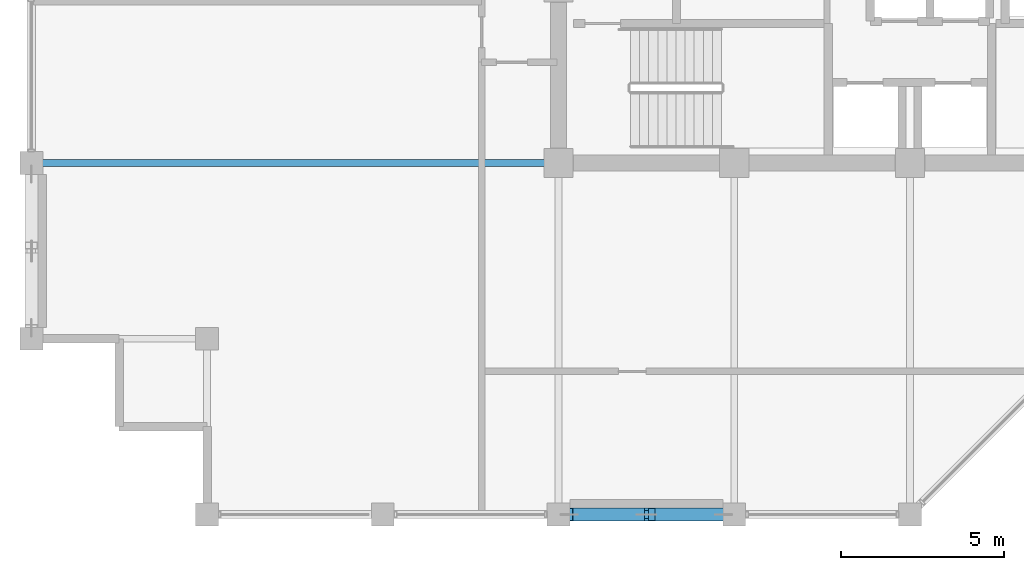
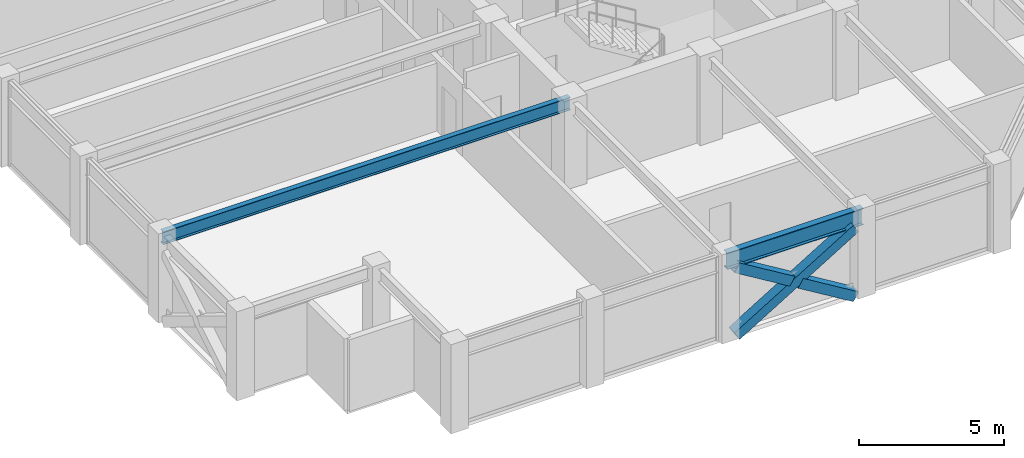
# One storey, part 5 of 30: 3 members, 2 beams.
"""IFC4 building model written with IfcOpenShell, lengths in metres."""

from ifc_helpers import new_model, si_unit, direction, frame, origin, origin_2d, place, context, subcontext, project, spatial, hollow_rectangle, i_section, extrude, material, material_profile, profile_set, type_object, element, save


model = new_model("IFC4")

# Units and contexts
model_context = context("Model", 3, precision=1e-05, world=origin(), true_north=direction((0.0, 1.0)))
body_context = subcontext(model_context, "Body", "Model", "MODEL_VIEW")
ifc_project = project(units=[si_unit("LENGTHUNIT", "METRE"), si_unit("AREAUNIT", "SQUARE_METRE"), si_unit("VOLUMEUNIT", "CUBIC_METRE"), si_unit("PLANEANGLEUNIT", "RADIAN"), si_unit("MASSUNIT", "GRAM", prefix="KILO")], contexts=[model_context])

# Site, building, storey
site_placement = place(None, origin())
site = spatial("IfcSite", under=ifc_project, at=site_placement, CompositionType="ELEMENT")
building_placement = place(site_placement, origin())
building = spatial("IfcBuilding", under=site, at=building_placement, Name="Surkhivell Harbour Commons", CompositionType="ELEMENT")
storey_placement = place(building_placement, frame((0.0, 0.0, 292.5)))
storey = spatial("IfcBuildingStorey", under=building, at=storey_placement, Name="L76", CompositionType="ELEMENT", Elevation=292.5)

# Beams
ifc_material_1 = material(Name="Steel S355", Category="steel")
ifc_material_profile_1 = material_profile(ifc_material_1, i_section(OverallWidth=0.2099609375, OverallDepth=0.537109375, WebThickness=0.0107421875, FlangeThickness=0.017333984375, at=origin_2d()), Name="UB533x210x101")
ifc_profile_set_1 = profile_set([ifc_material_profile_1], Name="Steel S355")
beam_type_1 = type_object("IfcBeamType", Name="BM-GRD-533B", PredefinedType="BEAM", material=ifc_profile_set_1)
beam_1_placement = place(storey_placement, frame((-27.0, -10.800048828125, 3.301513671875), z_axis=(1.0, 0.0, 0.0), x_axis=(0.0, 1.0, 0.0)))
element("IfcBeam", 1, at=beam_1_placement, inside=storey, type_object=beam_type_1, Name="L76 Floor Girder (-27.0,-10.8)", PredefinedType="BEAM", context=body_context, shape_type="SweptSolid", body=[
    extrude(i_section(OverallWidth=0.2099609375, OverallDepth=0.537109375, WebThickness=0.0107421875, FlangeThickness=0.017333984375, at=origin_2d()), origin(), (0.0, 0.0, 1.0), 16.199951171875),
])
ifc_material_profile_2 = material_profile(ifc_material_1, i_section(OverallWidth=0.256103515625, OverallDepth=0.693115234375, WebThickness=0.014404296875, FlangeThickness=0.023681640625, at=origin_2d()), Name="UB686x254x170")
ifc_profile_set_2 = profile_set([ifc_material_profile_2], Name="Steel S355")
beam_type_2 = type_object("IfcBeamType", Name="BM-SPN-686", PredefinedType="SPANDREL", material=ifc_profile_set_2)
beam_2_placement = place(storey_placement, frame((-10.800048828125, -21.60009765625, 3.223388671875), z_axis=(1.0, 0.0, 0.0), x_axis=(0.0, 1.0, 0.0)))
element("IfcBeam", 2, at=beam_2_placement, inside=storey, type_object=beam_type_2, Name="L76 Tube Spandrel (-10.8,-21.6)", PredefinedType="SPANDREL", context=body_context, shape_type="SweptSolid", body=[
    extrude(i_section(OverallWidth=0.256103515625, OverallDepth=0.693115234375, WebThickness=0.014404296875, FlangeThickness=0.023681640625, at=origin_2d()), origin(), (0.0, 0.0, 1.0), 5.400146484375),
])

# Members
ifc_material_2 = material(Name="Steel S460", Category="steel")
ifc_material_profile_3 = material_profile(ifc_material_2, hollow_rectangle(XDim=0.39990234375, YDim=0.39990234375, WallThickness=0.02001953125, at=origin_2d()), Name="SHS400x400x20")
ifc_profile_set_3 = profile_set([ifc_material_profile_3], Name="Steel S460")
member_type = type_object("IfcMemberType", Name="MEM-BRC-SHS400", PredefinedType="BRACE", material=ifc_profile_set_3)
member_1_placement = place(storey_placement, frame((-10.465087890625, -21.60009765625, 0.008056640625), z_axis=(0.854685454322, 0.0, 0.519146197299), x_axis=(0.0, 1.0, 0.0)))
element("IfcMember", 3, at=member_1_placement, inside=storey, type_object=member_type, Name="L76 Perimeter Mega-Brace MB- 07", PredefinedType="BRACE", context=body_context, shape_type="SweptSolid", body=[
    extrude(hollow_rectangle(XDim=0.39990234375, YDim=0.39990234375, WallThickness=0.02001953125, at=origin_2d()), origin(), (0.0, 0.0, 1.0), 5.5341796875),
])
member_2_placement = place(storey_placement, frame((-5.735107421875, -21.60009765625, 0.008056640625), z_axis=(-0.854694361898, 0.0, 0.519131532215), x_axis=(0.0, -1.0, 0.0)))
element("IfcMember", 4, at=member_2_placement, inside=storey, type_object=member_type, Name="L76 Perimeter Mega-Brace MB- 08", PredefinedType="BRACE", context=body_context, shape_type="SweptSolid", body=[
    extrude(hollow_rectangle(XDim=0.39990234375, YDim=0.39990234375, WallThickness=0.02001953125, at=origin_2d()), origin(), (0.0, 0.0, 1.0), 2.57470703125),
])
member_3_placement = place(storey_placement, frame((-8.26416015625, -21.60009765625, 1.544189453125), z_axis=(-0.854677846108, 0.0, 0.519158722716), x_axis=(0.0, -1.0, 0.0)))
element("IfcMember", 5, at=member_3_placement, inside=storey, type_object=member_type, Name="L76 Perimeter Mega-Brace MB- 09", PredefinedType="BRACE", context=body_context, shape_type="SweptSolid", body=[
    extrude(hollow_rectangle(XDim=0.39990234375, YDim=0.39990234375, WallThickness=0.02001953125, at=origin_2d()), origin(), (0.0, 0.0, 1.0), 2.5751953125),
])

save(model, "model.ifc")
